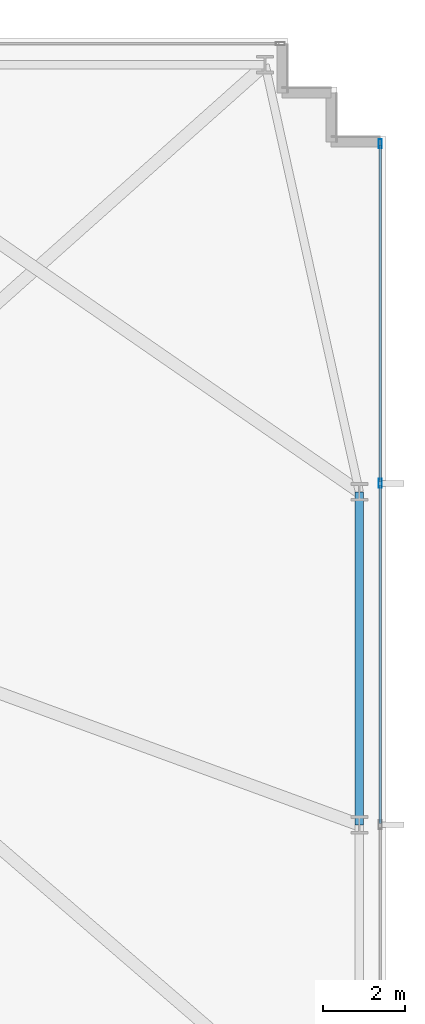
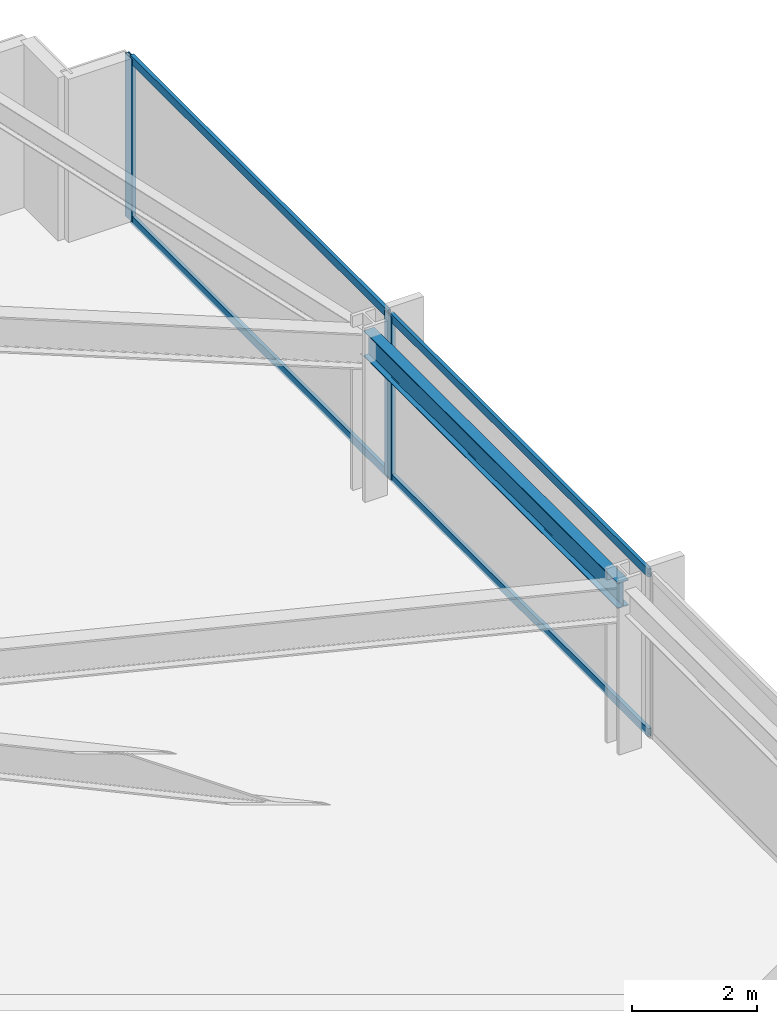
# One storey, part 23 of 32: 6 members, 1 beam, 1 element without a shape of its own.
"""IFC4 building model written with IfcOpenShell, lengths in metres."""

from ifc_helpers import new_model, si_unit, direction, frame, origin, origin_2d, place, context, subcontext, project, spatial, hollow_rectangle, i_section, extrude, material, material_profile, profile_set, type_object, element, aggregate, save


model = new_model("IFC4")

# Units and contexts
model_context = context("Model", 3, precision=1e-05, world=origin(), true_north=direction((0.0, 1.0)))
body_context = subcontext(model_context, "Body", "Model", "MODEL_VIEW")
ifc_project = project(units=[si_unit("LENGTHUNIT", "METRE"), si_unit("AREAUNIT", "SQUARE_METRE"), si_unit("VOLUMEUNIT", "CUBIC_METRE"), si_unit("PLANEANGLEUNIT", "RADIAN"), si_unit("MASSUNIT", "GRAM", prefix="KILO")], contexts=[model_context])

# Site, building, storey
site_placement = place(None, origin())
site = spatial("IfcSite", under=ifc_project, at=site_placement, CompositionType="ELEMENT")
building_placement = place(site_placement, origin())
building = spatial("IfcBuilding", under=site, at=building_placement, Name="Yelkora Congress Tower", CompositionType="ELEMENT")
storey_placement = place(building_placement, frame((0.0, 0.0, 50.800048828125)))
storey = spatial("IfcBuildingStorey", under=building, at=storey_placement, Name="L12", CompositionType="ELEMENT", Elevation=50.800048828125)

# Beam
ifc_material_1 = material(Name="Steel S355J2", Category="steel")
ifc_material_profile_1 = material_profile(ifc_material_1, i_section(OverallWidth=0.199951171875, OverallDepth=0.5, WebThickness=0.01025390625, FlangeThickness=0.01611328125, FilletRadius=0.02099609375, at=origin_2d()), Name="IPE 500")
ifc_profile_set_1 = profile_set([ifc_material_profile_1], Name="Steel S355J2")
beam_type = type_object("IfcBeamType", Name="BM-SPAN-IPE500", PredefinedType="SPANDREL", material=ifc_profile_set_1)
beam_placement = place(storey_placement, frame((70.14990234375, 29.39990234375, 2.929931640625), z_axis=(0.0, 1.0, 0.0), x_axis=(-1.0, 0.0, 0.0)))
element("IfcBeam", 1, at=beam_placement, inside=storey, type_object=beam_type, Name="L12 Perimeter Beam 12", PredefinedType="SPANDREL", context=body_context, shape_type="SweptSolid", body=[
    extrude(i_section(OverallWidth=0.199951171875, OverallDepth=0.5, WebThickness=0.01025390625, FlangeThickness=0.01611328125, FilletRadius=0.02099609375, at=origin_2d()), origin(), (0.0, 0.0, 1.0), 8.125),
])

# Curtain wall, members
ifc_material_2 = material(Name="Anodised aluminium and insulated glass", Category="aluminium")
curtain_wall_type = type_object("IfcCurtainWallType", Name="CW-SYS-B1", PredefinedType="NOTDEFINED", material=ifc_material_2)
curtain_wall_placement = place(storey_placement, origin())
curtain_wall = element("IfcCurtainWall", 2, at=curtain_wall_placement, inside=storey, type_object=curtain_wall_type, Name="L12 Unitised Curtain Wall 15", PredefinedType="NOTDEFINED")
ifc_material_3 = material(Name="Anodised aluminium 6063-T6", Category="aluminium")
ifc_material_profile_2 = material_profile(ifc_material_3, hollow_rectangle(XDim=0.074951171875, YDim=0.219970703125, WallThickness=0.0048828125, at=origin_2d()), Name="ALU 75x220x5")
ifc_profile_set_2 = profile_set([ifc_material_profile_2], Name="Anodised aluminium 6063-T6")
member_type_1 = type_object("IfcMemberType", Name="MEM-ML-B1", PredefinedType="MULLION", material=ifc_profile_set_2)
member_1_placement = place(storey_placement, frame((70.659912109375, 46.0224609375, 0.0), z_axis=(0.0, 0.0, 1.0), x_axis=(1.0, 0.0, 0.0)))
member_1 = element("IfcMember", 3, at=member_1_placement, type_object=member_type_1, Name="CW-B1 mullion 1", PredefinedType="MULLION", context=body_context, shape_type="SweptSolid", body=[
    extrude(hollow_rectangle(XDim=0.074951171875, YDim=0.219970703125, WallThickness=0.0048828125, at=origin_2d()), origin(), (0.0, 0.0, 1.0), 3.179931640625),
])
member_2_placement = place(storey_placement, frame((70.659912109375, 37.72998046875, 0.0), z_axis=(0.0, 0.0, 1.0), x_axis=(1.0, 0.0, 0.0)))
member_2 = element("IfcMember", 4, at=member_2_placement, type_object=member_type_1, Name="CW-B1 mullion 2", PredefinedType="MULLION", context=body_context, shape_type="SweptSolid", body=[
    extrude(hollow_rectangle(XDim=0.074951171875, YDim=0.219970703125, WallThickness=0.0048828125, at=origin_2d()), origin(), (0.0, 0.0, 1.0), 3.179931640625),
])
ifc_material_profile_3 = material_profile(ifc_material_3, hollow_rectangle(XDim=0.06494140625, YDim=0.159912109375, WallThickness=0.00390625, at=origin_2d()), Name="ALU 65x160x4")
ifc_profile_set_3 = profile_set([ifc_material_profile_3], Name="Anodised aluminium 6063-T6")
member_type_2 = type_object("IfcMemberType", Name="MEM-TR-B1", PredefinedType="USERDEFINED", material=ifc_profile_set_3)
member_3_placement = place(storey_placement, frame((70.659912109375, 45.985107421875, 0.032470703125), z_axis=(0.0, -1.0, 0.0), x_axis=(1.0, 0.0, 0.0)))
member_3 = element("IfcMember", 5, at=member_3_placement, type_object=member_type_2, Name="CW-B1 transom 1.1", ObjectType="TRANSOM", PredefinedType="USERDEFINED", context=body_context, shape_type="SweptSolid", body=[
    extrude(hollow_rectangle(XDim=0.06494140625, YDim=0.159912109375, WallThickness=0.00390625, at=origin_2d()), origin(), (0.0, 0.0, 1.0), 8.217529296875),
])
member_4_placement = place(storey_placement, frame((70.659912109375, 45.985107421875, 3.1474609375), z_axis=(0.0, -1.0, 0.0), x_axis=(1.0, 0.0, 0.0)))
member_4 = element("IfcMember", 6, at=member_4_placement, type_object=member_type_2, Name="CW-B1 transom 1.2", ObjectType="TRANSOM", PredefinedType="USERDEFINED", context=body_context, shape_type="SweptSolid", body=[
    extrude(hollow_rectangle(XDim=0.06494140625, YDim=0.159912109375, WallThickness=0.00390625, at=origin_2d()), origin(), (0.0, 0.0, 1.0), 8.217529296875),
])
member_5_placement = place(storey_placement, frame((70.659912109375, 37.6923828125, 0.032470703125), z_axis=(0.0, -1.0, 0.0), x_axis=(1.0, 0.0, 0.0)))
member_5 = element("IfcMember", 7, at=member_5_placement, type_object=member_type_2, Name="CW-B1 transom 2.1", ObjectType="TRANSOM", PredefinedType="USERDEFINED", context=body_context, shape_type="SweptSolid", body=[
    extrude(hollow_rectangle(XDim=0.06494140625, YDim=0.159912109375, WallThickness=0.00390625, at=origin_2d()), origin(), (0.0, 0.0, 1.0), 8.2548828125),
])
member_6_placement = place(storey_placement, frame((70.659912109375, 37.6923828125, 3.1474609375), z_axis=(0.0, -1.0, 0.0), x_axis=(1.0, 0.0, 0.0)))
member_6 = element("IfcMember", 8, at=member_6_placement, type_object=member_type_2, Name="CW-B1 transom 2.2", ObjectType="TRANSOM", PredefinedType="USERDEFINED", context=body_context, shape_type="SweptSolid", body=[
    extrude(hollow_rectangle(XDim=0.06494140625, YDim=0.159912109375, WallThickness=0.00390625, at=origin_2d()), origin(), (0.0, 0.0, 1.0), 8.2548828125),
])
aggregate(curtain_wall, [member_1, member_2, member_3, member_4, member_5, member_6])

save(model, "model.ifc")
